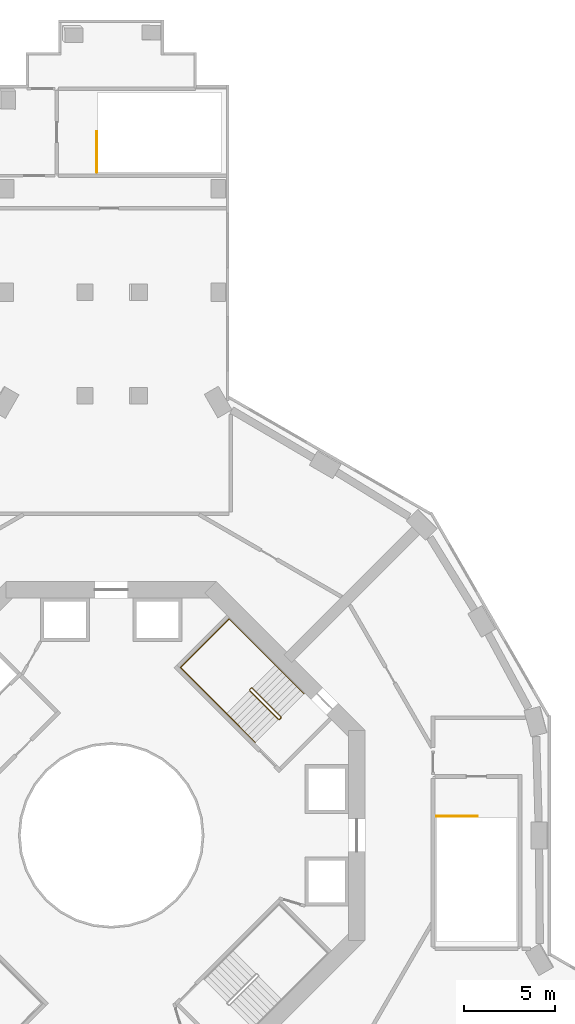
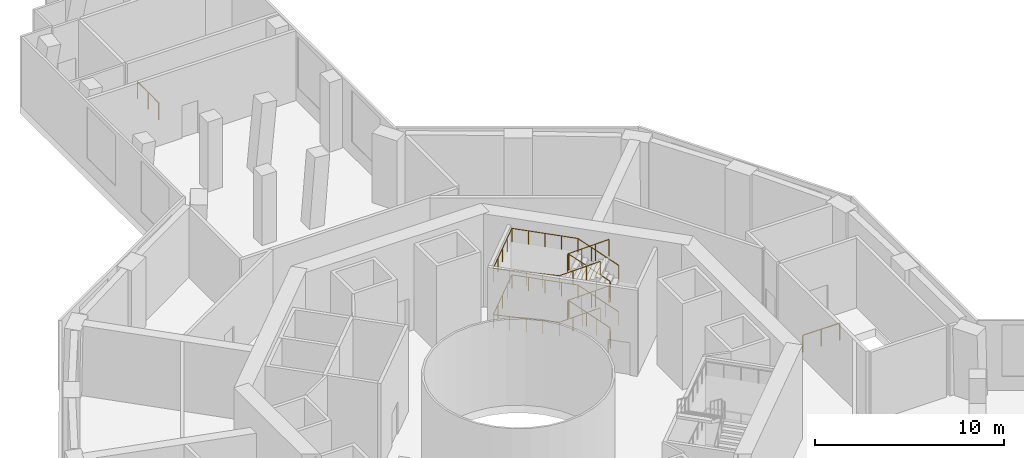
# One storey, part 12 of 12: 5 railings.
"""IFC4 building model written with IfcOpenShell, lengths in metres."""

from ifc_helpers import new_model, si_unit, direction, frame, origin, origin_2d, place, context, subcontext, project, spatial, circle, extrude, material, type_object, element, save


model = new_model("IFC4")

# Units and contexts
model_context = context("Model", 3, precision=1e-05, world=origin(), true_north=direction((0.0, 1.0)))
body_context = subcontext(model_context, "Body", "Model", "MODEL_VIEW")
ifc_project = project(units=[si_unit("LENGTHUNIT", "METRE"), si_unit("AREAUNIT", "SQUARE_METRE"), si_unit("VOLUMEUNIT", "CUBIC_METRE"), si_unit("PLANEANGLEUNIT", "RADIAN"), si_unit("MASSUNIT", "GRAM", prefix="KILO")], contexts=[model_context])

# Site, building, storey
site_placement = place(None, origin())
site = spatial("IfcSite", under=ifc_project, at=site_placement, CompositionType="ELEMENT")
building_placement = place(site_placement, origin())
building = spatial("IfcBuilding", under=site, at=building_placement, Name="Verdalira Terraces Hotel", CompositionType="ELEMENT")
storey_placement = place(building_placement, frame((0.0, 0.0, 28.0)))
storey = spatial("IfcBuildingStorey", under=building, at=storey_placement, Name="L05", CompositionType="ELEMENT", Elevation=28.0)

# Railings
ifc_material_1 = material(Name="Stainless steel", Category="steel")
railing_type_1 = type_object("IfcRailingType", Name="Stair guard 1100", PredefinedType="GUARDRAIL", material=ifc_material_1)
railing_1_placement = place(storey_placement, frame((9.369141, 6.469971, 0.0)))
element("IfcRailing", 1, at=railing_1_placement, inside=storey, type_object=railing_type_1, Name="L05 ST1 stair guard 1", PredefinedType="GUARDRAIL", context=body_context, shape_type="SweptSolid", body=[
    extrude(circle(Radius=0.023926, at=origin_2d()), frame((0.0, 0.0, 1.076172), z_axis=(-0.70832698, -0.705884473, 0.0), x_axis=(0.705884473, -0.70832698, 0.0)), (0.0, 0.0, 1.0), 0.099854),
    extrude(circle(Radius=0.023926, at=origin_2d()), frame((-0.070801, -0.070557, 1.076172), z_axis=(0.308122069, 0.615181649, 0.725680598), x_axis=(-0.894118129, 0.447831187, 0.0)), (0.0, 0.0, 1.0), 0.229736),
    extrude(circle(Radius=0.023926, at=origin_2d()), frame((0.0, 0.070801, 1.242676), z_axis=(-0.607628069, 0.607628069, 0.511445266), x_axis=(-0.707106781, -0.707106781, 0.0)), (0.0, 0.0, 1.0), 2.606934),
    extrude(circle(Radius=0.023926, at=origin_2d()), frame((-1.583984, 1.654785, 2.576172), z_axis=(-1.0, 0.0, 0.0), x_axis=(0.0, -1.0, 0.0)), (0.0, 0.0, 1.0), 0.070557),
    extrude(circle(Radius=0.023926, at=origin_2d()), frame((-1.654541, 1.654785, 2.576172), z_axis=(-0.707106781, -0.707106781, 0.0), x_axis=(0.707106781, -0.707106781, 0.0)), (0.0, 0.0, 1.0), 0.100098),
    extrude(circle(Radius=0.023926, at=origin_2d()), frame((-1.725342, 1.583984, 2.576172), z_axis=(0.0, -0.390826706, 0.920464277), x_axis=(1.0, 0.0, 0.0)), (0.0, 0.0, 1.0), 0.181152),
    extrude(circle(Radius=0.023926, at=origin_2d()), frame((-1.725342, 1.513184, 2.742676), z_axis=(0.607662647, -0.607568988, 0.511474371), x_axis=(0.707052281, 0.707161277, 0.0)), (0.0, 0.0, 1.0), 2.606689),
    extrude(circle(Radius=0.023926, at=origin_2d()), frame((-0.141357, -0.070557, 4.076172), z_axis=(1.0, 0.0, 0.0), x_axis=(0.0, 1.0, 0.0)), (0.0, 0.0, 1.0), 0.070557),
    extrude(circle(Radius=0.023926, at=origin_2d()), frame((-0.070801, -0.070557, 4.076172), z_axis=(0.70832698, 0.705884473, 0.0), x_axis=(-0.705884473, 0.70832698, 0.0)), (0.0, 0.0, 1.0), 0.099854),
    extrude(circle(Radius=0.023926, at=origin_2d()), frame((0.0, 0.0, 4.076172), z_axis=(0.0, 0.390826706, 0.920464277), x_axis=(-1.0, 0.0, 0.0)), (0.0, 0.0, 1.0), 0.181152),
    extrude(circle(Radius=0.023926, at=origin_2d()), frame((0.0, 0.070801, 4.242676), z_axis=(-0.607628069, 0.607628069, 0.511445266), x_axis=(-0.707106781, -0.707106781, 0.0)), (0.0, 0.0, 1.0), 2.606934),
    extrude(circle(Radius=0.023926, at=origin_2d()), frame((-1.583984, 1.654785, 5.576172), z_axis=(-1.0, 0.0, 0.0), x_axis=(0.0, -1.0, 0.0)), (0.0, 0.0, 1.0), 0.070557),
    extrude(circle(Radius=0.023926, at=origin_2d()), frame((-1.654541, 1.654785, 5.576172), z_axis=(-0.707106781, -0.707106781, 0.0), x_axis=(0.707106781, -0.707106781, 0.0)), (0.0, 0.0, 1.0), 0.100098),
    extrude(circle(Radius=0.023926, at=origin_2d()), frame((-1.725342, 1.583984, 5.576172), z_axis=(0.0, -0.390826706, 0.920464277), x_axis=(1.0, 0.0, 0.0)), (0.0, 0.0, 1.0), 0.181152),
    extrude(circle(Radius=0.023926, at=origin_2d()), frame((-1.725342, 1.513184, 5.742676), z_axis=(0.607662647, -0.607568988, 0.511474371), x_axis=(0.707052281, 0.707161277, 0.0)), (0.0, 0.0, 1.0), 2.606689),
    extrude(circle(Radius=0.020996, at=origin_2d()), origin(), (0.0, 0.0, 1.0), 1.052002),
    extrude(circle(Radius=0.020996, at=origin_2d()), frame((-0.070801, -0.070557, 0.0)), (0.0, 0.0, 1.0), 1.052002),
    extrude(circle(Radius=0.020996, at=origin_2d()), frame((0.0, 0.070801, 0.166748)), (0.0, 0.0, 1.0), 1.052002),
    extrude(circle(Radius=0.020996, at=origin_2d()), frame((-0.528076, 0.598877, 0.611084)), (0.0, 0.0, 1.0), 1.052002),
    extrude(circle(Radius=0.020996, at=origin_2d()), frame((-1.055908, 1.126709, 1.055664)), (0.0, 0.0, 1.0), 1.052002),
    extrude(circle(Radius=0.020996, at=origin_2d()), frame((-1.583984, 1.654785, 1.5)), (0.0, 0.0, 1.0), 1.052002),
    extrude(circle(Radius=0.020996, at=origin_2d()), frame((-1.654541, 1.654785, 1.5)), (0.0, 0.0, 1.0), 1.052002),
    extrude(circle(Radius=0.020996, at=origin_2d()), frame((-1.725342, 1.583984, 1.5)), (0.0, 0.0, 1.0), 1.052002),
    extrude(circle(Radius=0.020996, at=origin_2d()), frame((-1.725342, 1.513184, 1.666748)), (0.0, 0.0, 1.0), 1.052002),
    extrude(circle(Radius=0.020996, at=origin_2d()), frame((-1.197266, 0.985352, 2.111084)), (0.0, 0.0, 1.0), 1.052002),
    extrude(circle(Radius=0.020996, at=origin_2d()), frame((-0.669434, 0.457275, 2.555664)), (0.0, 0.0, 1.0), 1.052002),
    extrude(circle(Radius=0.020996, at=origin_2d()), frame((-0.141357, -0.070557, 3.0)), (0.0, 0.0, 1.0), 1.052002),
    extrude(circle(Radius=0.020996, at=origin_2d()), frame((-0.070801, -0.070557, 3.0)), (0.0, 0.0, 1.0), 1.052002),
    extrude(circle(Radius=0.020996, at=origin_2d()), frame((0.0, 0.0, 3.0)), (0.0, 0.0, 1.0), 1.052002),
    extrude(circle(Radius=0.020996, at=origin_2d()), frame((0.0, 0.070801, 3.166748)), (0.0, 0.0, 1.0), 1.052002),
    extrude(circle(Radius=0.020996, at=origin_2d()), frame((-0.528076, 0.598877, 3.611084)), (0.0, 0.0, 1.0), 1.052002),
    extrude(circle(Radius=0.020996, at=origin_2d()), frame((-1.055908, 1.126709, 4.055664)), (0.0, 0.0, 1.0), 1.052002),
    extrude(circle(Radius=0.020996, at=origin_2d()), frame((-1.583984, 1.654785, 4.5)), (0.0, 0.0, 1.0), 1.052002),
    extrude(circle(Radius=0.020996, at=origin_2d()), frame((-1.654541, 1.654785, 4.5)), (0.0, 0.0, 1.0), 1.052002),
    extrude(circle(Radius=0.020996, at=origin_2d()), frame((-1.725342, 1.583984, 4.5)), (0.0, 0.0, 1.0), 1.052002),
    extrude(circle(Radius=0.020996, at=origin_2d()), frame((-1.725342, 1.513184, 4.666748)), (0.0, 0.0, 1.0), 1.052002),
    extrude(circle(Radius=0.020996, at=origin_2d()), frame((-1.197266, 0.985352, 5.111084)), (0.0, 0.0, 1.0), 1.052002),
    extrude(circle(Radius=0.020996, at=origin_2d()), frame((-0.669434, 0.457275, 5.555664)), (0.0, 0.0, 1.0), 1.052002),
    extrude(circle(Radius=0.020996, at=origin_2d()), frame((-0.141357, -0.070557, 6.0)), (0.0, 0.0, 1.0), 1.052002),
])
railing_2_placement = place(storey_placement, frame((-0.800049, 36.600098, 0.0)))
element("IfcRailing", 2, at=railing_2_placement, inside=storey, type_object=railing_type_1, Name="L05 PS1 top well guard 1", PredefinedType="GUARDRAIL", context=body_context, shape_type="SweptSolid", body=[
    extrude(circle(Radius=0.023926, at=origin_2d()), frame((0.0, 0.0, 1.076172), z_axis=(0.0, 1.0, 0.0), x_axis=(-1.0, 0.0, 0.0)), (0.0, 0.0, 1.0), 2.25),
    extrude(circle(Radius=0.020996, at=origin_2d()), origin(), (0.0, 0.0, 1.0), 1.052002),
    extrude(circle(Radius=0.020996, at=origin_2d()), frame((0.0, 1.125, 0.0)), (0.0, 0.0, 1.0), 1.052002),
    extrude(circle(Radius=0.020996, at=origin_2d()), frame((0.0, 2.25, 0.0)), (0.0, 0.0, 1.0), 1.052002),
])
railing_3_placement = place(storey_placement, frame((17.958252, 1.050049, 0.0)))
element("IfcRailing", 3, at=railing_3_placement, inside=storey, type_object=railing_type_1, Name="L05 PS4 top well guard 1", PredefinedType="GUARDRAIL", context=body_context, shape_type="SweptSolid", body=[
    extrude(circle(Radius=0.023926, at=origin_2d()), frame((0.0, 0.0, 1.076172), z_axis=(1.0, 0.0, 0.0), x_axis=(0.0, 1.0, 0.0)), (0.0, 0.0, 1.0), 2.25),
    extrude(circle(Radius=0.020996, at=origin_2d()), origin(), (0.0, 0.0, 1.0), 1.052002),
    extrude(circle(Radius=0.020996, at=origin_2d()), frame((1.125, 0.0, 0.0)), (0.0, 0.0, 1.0), 1.052002),
    extrude(circle(Radius=0.020996, at=origin_2d()), frame((2.25, 0.0, 0.0)), (0.0, 0.0, 1.0), 1.052002),
])
ifc_material_2 = material(Name="Stainless steel", Category="steel")
railing_type_2 = type_object("IfcRailingType", Name="Stair handrail 900", PredefinedType="HANDRAIL", material=ifc_material_2)
railing_4_placement = place(storey_placement, frame((10.641846, 7.813477, 0.166748)))
element("IfcRailing", 4, at=railing_4_placement, inside=storey, type_object=railing_type_2, Name="L05 ST1 stair handrail 1", PredefinedType="HANDRAIL", context=body_context, shape_type="SweptSolid", body=[
    extrude(circle(Radius=0.023926, at=origin_2d()), frame((0.0, 0.0, 0.875977), z_axis=(-0.607568988, 0.607662647, 0.511474371), x_axis=(-0.707161277, -0.707052281, 0.0)), (0.0, 0.0, 1.0), 2.606689),
    extrude(circle(Radius=0.023926, at=origin_2d()), frame((-1.58374, 1.583984, 2.208984), z_axis=(-0.707106781, 0.707106781, 0.0), x_axis=(-0.707106781, -0.707106781, 0.0)), (0.0, 0.0, 1.0), 3.610107),
    extrude(circle(Radius=0.023926, at=origin_2d()), frame((-4.136475, 4.136719, 2.208984), z_axis=(-0.707106781, -0.707106781, 0.0), x_axis=(0.707106781, -0.707106781, 0.0)), (0.0, 0.0, 1.0), 3.800049),
    extrude(circle(Radius=0.023926, at=origin_2d()), frame((-6.823486, 1.449707, 2.208984), z_axis=(0.706353701, -0.706353701, 0.046139975), x_axis=(0.707106781, 0.707106781, 0.0)), (0.0, 0.0, 1.0), 3.614014),
    extrude(circle(Radius=0.023926, at=origin_2d()), frame((-4.270752, -1.103027, 2.375977), z_axis=(0.607568988, -0.607662647, 0.511474371), x_axis=(0.707161277, 0.707052281, 0.0)), (0.0, 0.0, 1.0), 2.606689),
    extrude(circle(Radius=0.020996, at=origin_2d()), origin(), (0.0, 0.0, 1.0), 0.851807),
    extrude(circle(Radius=0.020996, at=origin_2d()), frame((-0.527832, 0.528076, 0.444336)), (0.0, 0.0, 1.0), 0.851807),
    extrude(circle(Radius=0.020996, at=origin_2d()), frame((-1.055908, 1.055908, 0.888916)), (0.0, 0.0, 1.0), 0.851807),
    extrude(circle(Radius=0.020996, at=origin_2d()), frame((-1.58374, 1.583984, 1.333252)), (0.0, 0.0, 1.0), 0.851807),
    extrude(circle(Radius=0.020996, at=origin_2d()), frame((-2.221924, 2.222168, 1.333252)), (0.0, 0.0, 1.0), 0.851807),
    extrude(circle(Radius=0.020996, at=origin_2d()), frame((-2.860107, 2.860352, 1.333252)), (0.0, 0.0, 1.0), 0.851807),
    extrude(circle(Radius=0.020996, at=origin_2d()), frame((-3.498291, 3.498535, 1.333252)), (0.0, 0.0, 1.0), 0.851807),
    extrude(circle(Radius=0.020996, at=origin_2d()), frame((-4.136475, 4.136719, 1.333252)), (0.0, 0.0, 1.0), 0.851807),
    extrude(circle(Radius=0.020996, at=origin_2d()), frame((-4.808105, 3.464844, 1.333252)), (0.0, 0.0, 1.0), 0.851807),
    extrude(circle(Radius=0.020996, at=origin_2d()), frame((-5.47998, 2.793213, 1.333252)), (0.0, 0.0, 1.0), 0.851807),
    extrude(circle(Radius=0.020996, at=origin_2d()), frame((-6.151855, 2.121582, 1.333252)), (0.0, 0.0, 1.0), 0.851807),
    extrude(circle(Radius=0.020996, at=origin_2d()), frame((-6.823486, 1.449707, 1.333252)), (0.0, 0.0, 1.0), 0.851807),
    extrude(circle(Radius=0.020996, at=origin_2d()), frame((-6.185303, 0.811523, 1.375)), (0.0, 0.0, 1.0), 0.851807),
    extrude(circle(Radius=0.020996, at=origin_2d()), frame((-5.547119, 0.17334, 1.416504)), (0.0, 0.0, 1.0), 0.851807),
    extrude(circle(Radius=0.020996, at=origin_2d()), frame((-4.908936, -0.464844, 1.458252)), (0.0, 0.0, 1.0), 0.851807),
    extrude(circle(Radius=0.020996, at=origin_2d()), frame((-4.270752, -1.103027, 1.5)), (0.0, 0.0, 1.0), 0.851807),
    extrude(circle(Radius=0.020996, at=origin_2d()), frame((-3.74292, -1.631104, 1.944336)), (0.0, 0.0, 1.0), 0.851807),
    extrude(circle(Radius=0.020996, at=origin_2d()), frame((-3.214844, -2.158936, 2.388916)), (0.0, 0.0, 1.0), 0.851807),
    extrude(circle(Radius=0.020996, at=origin_2d()), frame((-2.687012, -2.687012, 2.833252)), (0.0, 0.0, 1.0), 0.851807),
])
railing_5_placement = place(storey_placement, frame((10.641846, 7.813477, 3.166748)))
element("IfcRailing", 5, at=railing_5_placement, inside=storey, type_object=railing_type_2, Name="L05 ST1 stair handrail 2", PredefinedType="HANDRAIL", context=body_context, shape_type="SweptSolid", body=[
    extrude(circle(Radius=0.023926, at=origin_2d()), frame((0.0, 0.0, 0.875977), z_axis=(-0.607568988, 0.607662647, 0.511474371), x_axis=(-0.707161277, -0.707052281, 0.0)), (0.0, 0.0, 1.0), 2.606689),
    extrude(circle(Radius=0.023926, at=origin_2d()), frame((-1.58374, 1.583984, 2.208984), z_axis=(-0.707106781, 0.707106781, 0.0), x_axis=(-0.707106781, -0.707106781, 0.0)), (0.0, 0.0, 1.0), 3.610107),
    extrude(circle(Radius=0.023926, at=origin_2d()), frame((-4.136475, 4.136719, 2.208984), z_axis=(-0.707106781, -0.707106781, 0.0), x_axis=(0.707106781, -0.707106781, 0.0)), (0.0, 0.0, 1.0), 3.800049),
    extrude(circle(Radius=0.023926, at=origin_2d()), frame((-6.823486, 1.449707, 2.208984), z_axis=(0.706353701, -0.706353701, 0.046139975), x_axis=(0.707106781, 0.707106781, 0.0)), (0.0, 0.0, 1.0), 3.614014),
    extrude(circle(Radius=0.023926, at=origin_2d()), frame((-4.270752, -1.103027, 2.375977), z_axis=(0.607568988, -0.607662647, 0.511474371), x_axis=(0.707161277, 0.707052281, 0.0)), (0.0, 0.0, 1.0), 2.606689),
    extrude(circle(Radius=0.020996, at=origin_2d()), origin(), (0.0, 0.0, 1.0), 0.851807),
    extrude(circle(Radius=0.020996, at=origin_2d()), frame((-0.527832, 0.528076, 0.444336)), (0.0, 0.0, 1.0), 0.851807),
    extrude(circle(Radius=0.020996, at=origin_2d()), frame((-1.055908, 1.055908, 0.888916)), (0.0, 0.0, 1.0), 0.851807),
    extrude(circle(Radius=0.020996, at=origin_2d()), frame((-1.58374, 1.583984, 1.333252)), (0.0, 0.0, 1.0), 0.851807),
    extrude(circle(Radius=0.020996, at=origin_2d()), frame((-2.221924, 2.222168, 1.333252)), (0.0, 0.0, 1.0), 0.851807),
    extrude(circle(Radius=0.020996, at=origin_2d()), frame((-2.860107, 2.860352, 1.333252)), (0.0, 0.0, 1.0), 0.851807),
    extrude(circle(Radius=0.020996, at=origin_2d()), frame((-3.498291, 3.498535, 1.333252)), (0.0, 0.0, 1.0), 0.851807),
    extrude(circle(Radius=0.020996, at=origin_2d()), frame((-4.136475, 4.136719, 1.333252)), (0.0, 0.0, 1.0), 0.851807),
    extrude(circle(Radius=0.020996, at=origin_2d()), frame((-4.808105, 3.464844, 1.333252)), (0.0, 0.0, 1.0), 0.851807),
    extrude(circle(Radius=0.020996, at=origin_2d()), frame((-5.47998, 2.793213, 1.333252)), (0.0, 0.0, 1.0), 0.851807),
    extrude(circle(Radius=0.020996, at=origin_2d()), frame((-6.151855, 2.121582, 1.333252)), (0.0, 0.0, 1.0), 0.851807),
    extrude(circle(Radius=0.020996, at=origin_2d()), frame((-6.823486, 1.449707, 1.333252)), (0.0, 0.0, 1.0), 0.851807),
    extrude(circle(Radius=0.020996, at=origin_2d()), frame((-6.185303, 0.811523, 1.375)), (0.0, 0.0, 1.0), 0.851807),
    extrude(circle(Radius=0.020996, at=origin_2d()), frame((-5.547119, 0.17334, 1.416504)), (0.0, 0.0, 1.0), 0.851807),
    extrude(circle(Radius=0.020996, at=origin_2d()), frame((-4.908936, -0.464844, 1.458252)), (0.0, 0.0, 1.0), 0.851807),
    extrude(circle(Radius=0.020996, at=origin_2d()), frame((-4.270752, -1.103027, 1.5)), (0.0, 0.0, 1.0), 0.851807),
    extrude(circle(Radius=0.020996, at=origin_2d()), frame((-3.74292, -1.631104, 1.944336)), (0.0, 0.0, 1.0), 0.851807),
    extrude(circle(Radius=0.020996, at=origin_2d()), frame((-3.214844, -2.158936, 2.388916)), (0.0, 0.0, 1.0), 0.851807),
    extrude(circle(Radius=0.020996, at=origin_2d()), frame((-2.687012, -2.687012, 2.833252)), (0.0, 0.0, 1.0), 0.851807),
])

save(model, "model.ifc")
